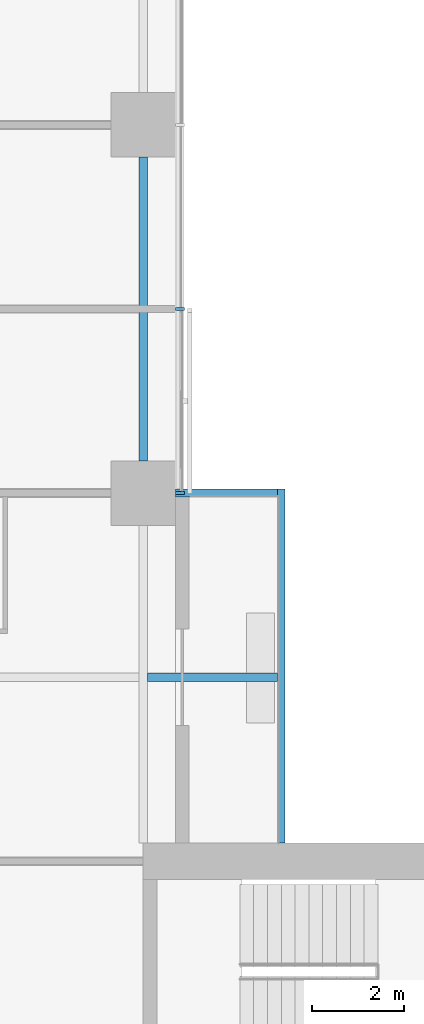
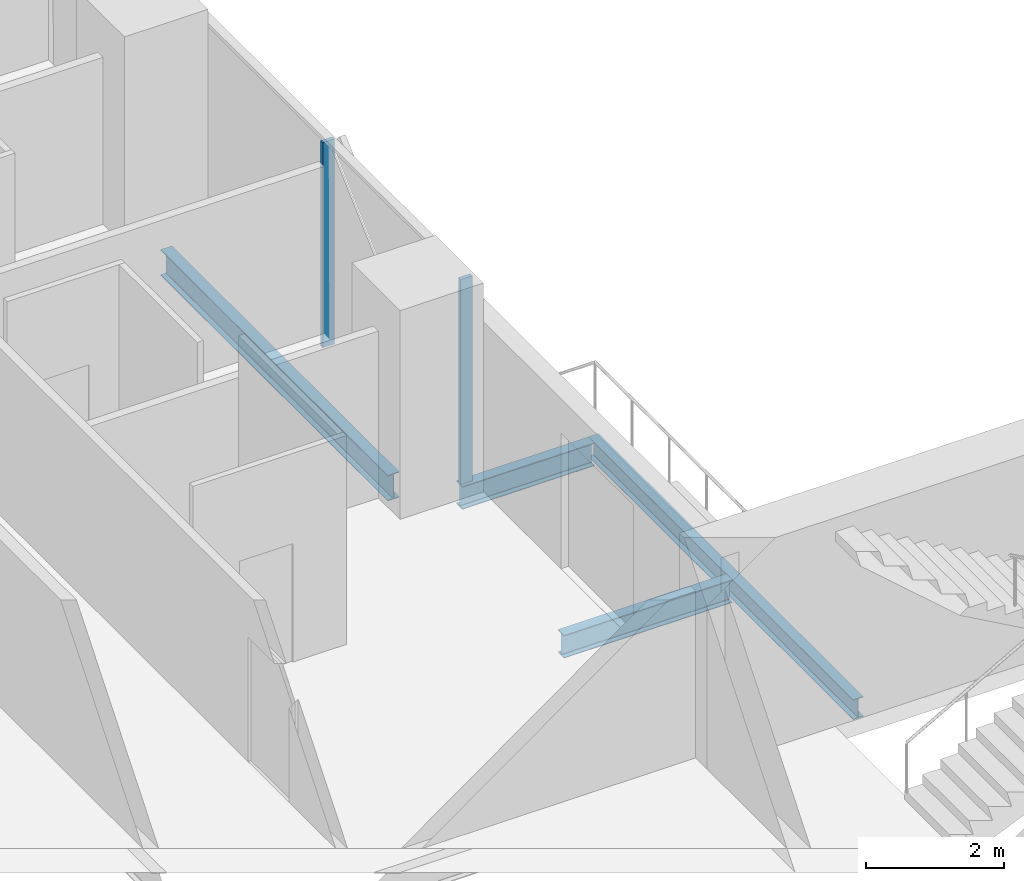
# One storey, part 10 of 29: 4 beams, 2 members, 1 element without a shape of its own.
"""IFC4 building model written with IfcOpenShell, lengths in metres."""

from ifc_helpers import new_model, si_unit, direction, frame, origin, origin_2d, place, context, subcontext, project, spatial, rectangle, i_section, extrude, material, material_profile, profile_set, type_object, element, aggregate, save


model = new_model("IFC4")

# Units and contexts
model_context = context("Model", 3, precision=1e-05, world=origin(), true_north=direction((0.0, 1.0)))
body_context = subcontext(model_context, "Body", "Model", "MODEL_VIEW")
ifc_project = project(units=[si_unit("LENGTHUNIT", "METRE"), si_unit("AREAUNIT", "SQUARE_METRE"), si_unit("VOLUMEUNIT", "CUBIC_METRE"), si_unit("PLANEANGLEUNIT", "RADIAN"), si_unit("MASSUNIT", "GRAM", prefix="KILO")], contexts=[model_context])

# Site, building, storey
site_placement = place(None, origin())
site = spatial("IfcSite", under=ifc_project, at=site_placement, CompositionType="ELEMENT")
building_placement = place(site_placement, origin())
building = spatial("IfcBuilding", under=site, at=building_placement, Name="Crosswind Convention Tower", CompositionType="ELEMENT")
storey_placement = place(building_placement, frame((0.0, 0.0, 60.89990234375)))
storey = spatial("IfcBuildingStorey", under=building, at=storey_placement, Name="L09", CompositionType="ELEMENT", Elevation=60.89990234375)

# Beams
ifc_material_1 = material(Name="Steel S355", Category="steel")
ifc_material_profile_1 = material_profile(ifc_material_1, i_section(OverallWidth=0.177734375, OverallDepth=0.406494140625, WebThickness=0.0078125, FlangeThickness=0.0126953125, FilletRadius=0.01025390625, at=origin_2d()), Name="UB 406x178x60")
ifc_profile_set_1 = profile_set([ifc_material_profile_1], Name="Steel S355")
beam_type_1 = type_object("IfcBeamType", Name="Balcony cantilever UB 406x178x60", PredefinedType="BEAM", material=ifc_profile_set_1)
beam_1_placement = place(storey_placement, frame((137.09521484375, 116.0, -0.483154296875), z_axis=(1.0, 0.0, 0.0), x_axis=(0.0, 1.0, 0.0)))
element("IfcBeam", 1, at=beam_1_placement, inside=storey, type_object=beam_type_1, Name="B35 L09 balcony cantilever NE 1", PredefinedType="BEAM", context=body_context, shape_type="SweptSolid", body=[
    extrude(i_section(OverallWidth=0.177734375, OverallDepth=0.406494140625, WebThickness=0.0078125, FlangeThickness=0.0126953125, FilletRadius=0.01025390625, at=origin_2d()), origin(), (0.0, 0.0, 1.0), 2.8193359375),
])
beam_2_placement = place(storey_placement, frame((137.699951171875, 120.0, -0.483154296875), z_axis=(1.0, 0.0, 0.0), x_axis=(0.0, 1.0, 0.0)))
element("IfcBeam", 2, at=beam_2_placement, inside=storey, type_object=beam_type_1, Name="B35 L09 balcony cantilever NE 2", PredefinedType="BEAM", context=body_context, shape_type="SweptSolid", body=[
    extrude(i_section(OverallWidth=0.177734375, OverallDepth=0.406494140625, WebThickness=0.0078125, FlangeThickness=0.0126953125, FilletRadius=0.01025390625, at=origin_2d()), origin(), (0.0, 0.0, 1.0), 2.214599609375),
])
ifc_material_profile_2 = material_profile(ifc_material_1, i_section(OverallWidth=0.1708984375, OverallDepth=0.35205078125, WebThickness=0.0068359375, FlangeThickness=0.009765625, FilletRadius=0.01025390625, at=origin_2d()), Name="UB 356x171x45")
ifc_profile_set_2 = profile_set([ifc_material_profile_2], Name="Steel S355")
beam_type_2 = type_object("IfcBeamType", Name="Balcony edge beam UB 356x171x45", PredefinedType="BEAM", material=ifc_profile_set_2)
beam_3_placement = place(storey_placement, frame((140.0, 112.39990234375, -0.455810546875), z_axis=(0.0, 1.0, 0.0), x_axis=(-1.0, 0.0, 0.0)))
element("IfcBeam", 3, at=beam_3_placement, inside=storey, type_object=beam_type_2, Name="B37 L09 balcony edge beam NE 3", PredefinedType="BEAM", context=body_context, shape_type="SweptSolid", body=[
    extrude(i_section(OverallWidth=0.1708984375, OverallDepth=0.35205078125, WebThickness=0.0068359375, FlangeThickness=0.009765625, FilletRadius=0.01025390625, at=origin_2d()), origin(), (0.0, 0.0, 1.0), 7.68896484375),
])
ifc_material_profile_3 = material_profile(ifc_material_1, i_section(OverallWidth=0.1904296875, OverallDepth=0.457275390625, WebThickness=0.009033203125, FlangeThickness=0.014404296875, FilletRadius=0.01025390625, at=origin_2d()), Name="UB 457x191x75")
ifc_profile_set_3 = profile_set([ifc_material_profile_3], Name="Steel S355")
beam_type_3 = type_object("IfcBeamType", Name="Edge beam UB 457x191x75", PredefinedType="SPANDREL", material=ifc_profile_set_3)
beam_4_placement = place(storey_placement, frame((137.0, 120.699951171875, -0.508544921875), z_axis=(0.0, 1.0, 0.0), x_axis=(-1.0, 0.0, 0.0)))
element("IfcBeam", 4, at=beam_4_placement, inside=storey, type_object=beam_type_3, Name="B17 L09 edge beam 22", PredefinedType="SPANDREL", context=body_context, shape_type="SweptSolid", body=[
    extrude(i_section(OverallWidth=0.1904296875, OverallDepth=0.457275390625, WebThickness=0.009033203125, FlangeThickness=0.014404296875, FilletRadius=0.01025390625, at=origin_2d()), origin(), (0.0, 0.0, 1.0), 6.60009765625),
])

# Curtain wall, members
ifc_material_2 = material(Name="Aluminium unitised curtain wall", Category="aluminium")
curtain_wall_type = type_object("IfcCurtainWallType", Name="HOTEL UNITISED WALL 200", PredefinedType="USERDEFINED", material=ifc_material_2)
curtain_wall_placement = place(storey_placement, origin())
curtain_wall = element("IfcCurtainWall", 5, at=curtain_wall_placement, inside=storey, type_object=curtain_wall_type, Name="CW2 L09 N-E 1", ObjectType="UNITISED", PredefinedType="USERDEFINED")
ifc_material_3 = material(Name="Aluminium mullion", Category="aluminium")
ifc_material_profile_4 = material_profile(ifc_material_3, rectangle(XDim=0.199951171875, YDim=0.06494140625, at=origin_2d()), Name="AL 200X65")
ifc_profile_set_4 = profile_set([ifc_material_profile_4], Name="Aluminium mullion")
member_type = type_object("IfcMemberType", Name="MULLION 65X200", PredefinedType="MULLION", material=ifc_profile_set_4)
member_1_placement = place(storey_placement, frame((137.800048828125, 120.0, -0.27978515625), z_axis=(0.0, 0.0, 1.0), x_axis=(1.0, 0.0, 0.0)))
member_1 = element("IfcMember", 6, at=member_1_placement, type_object=member_type, Name="CW2 mullion 1", PredefinedType="MULLION", context=body_context, shape_type="SweptSolid", body=[
    extrude(rectangle(XDim=0.199951171875, YDim=0.06494140625, at=origin_2d()), origin(), (0.0, 0.0, 1.0), 3.634765625),
])
member_2_placement = place(storey_placement, frame((137.800048828125, 124.0, -0.27978515625), z_axis=(0.0, 0.0, 1.0), x_axis=(1.0, 0.0, 0.0)))
member_2 = element("IfcMember", 7, at=member_2_placement, type_object=member_type, Name="CW2 mullion 2", PredefinedType="MULLION", context=body_context, shape_type="SweptSolid", body=[
    extrude(rectangle(XDim=0.199951171875, YDim=0.06494140625, at=origin_2d()), origin(), (0.0, 0.0, 1.0), 3.634765625),
])
aggregate(curtain_wall, [member_1, member_2])

save(model, "model.ifc")
